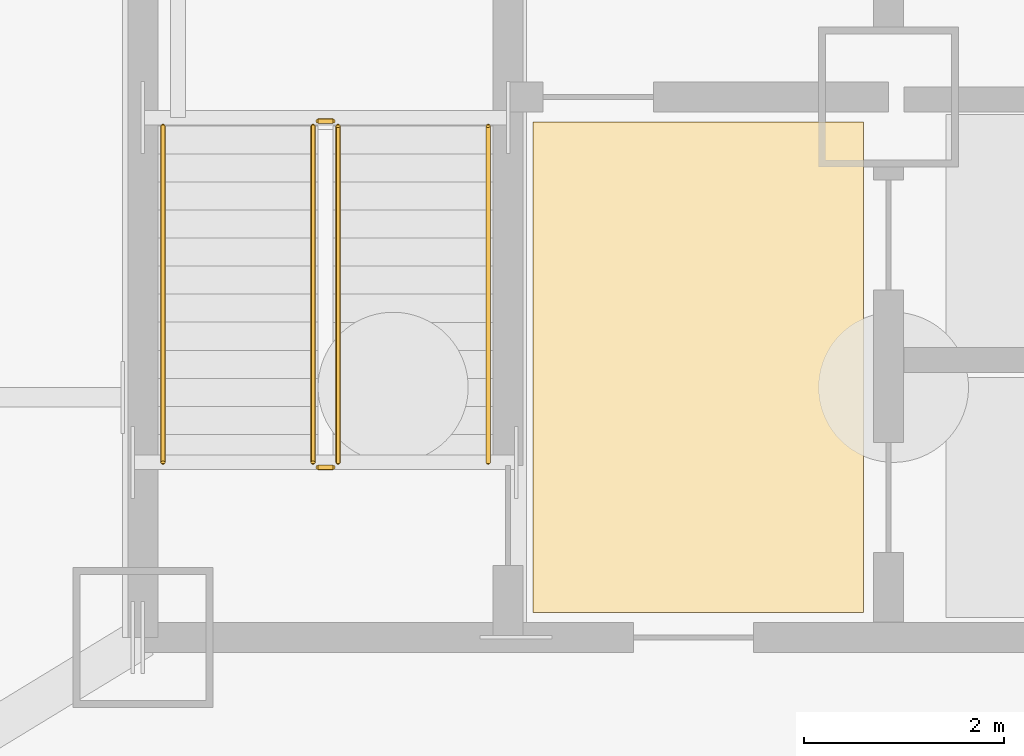
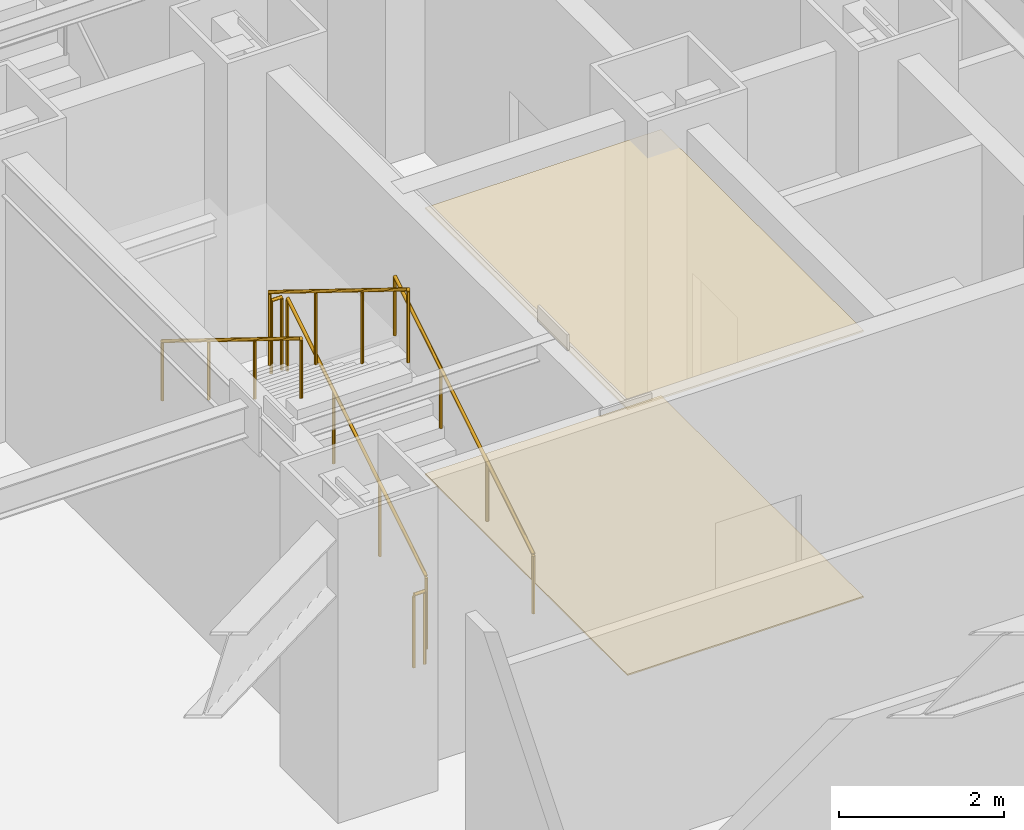
# One storey, part 12 of 15: 6 railings, 2 coverings.
"""IFC4 building model written with IfcOpenShell, lengths in metres."""

from ifc_helpers import new_model, si_unit, direction, frame, origin, origin_2d, place, context, subcontext, project, spatial, polyline, circle, outline, extrude, material, layer, layer_set, type_object, element, save


model = new_model("IFC4")

# Units and contexts
model_context = context("Model", 3, precision=1e-05, world=origin(), true_north=direction((0.0, 1.0)))
body_context = subcontext(model_context, "Body", "Model", "MODEL_VIEW")
ifc_project = project(units=[si_unit("LENGTHUNIT", "METRE"), si_unit("AREAUNIT", "SQUARE_METRE"), si_unit("VOLUMEUNIT", "CUBIC_METRE"), si_unit("PLANEANGLEUNIT", "RADIAN"), si_unit("MASSUNIT", "GRAM", prefix="KILO")], contexts=[model_context])

# Site, building, storey
site_placement = place(None, origin())
site = spatial("IfcSite", under=ifc_project, at=site_placement, CompositionType="ELEMENT")
building_placement = place(site_placement, origin())
building = spatial("IfcBuilding", under=site, at=building_placement, Name="Khamvora Tower", CompositionType="ELEMENT")
storey_placement = place(building_placement, frame((0.0, 0.0, -9.0)))
storey = spatial("IfcBuildingStorey", under=building, at=storey_placement, Name="B2", CompositionType="ELEMENT", Elevation=-9.0)

# Coverings
ifc_material_1 = material(Name="Perforated Mineral-Fibre Acoustic Ceiling Tile", Category="gypsum")
ifc_layer_1 = layer(ifc_material_1, 0.02490234375)
ifc_layer_set_1 = layer_set([ifc_layer_1], Name="Perforated Mineral-Fibre Acoustic Ceiling Tile")
covering_type_1 = type_object("IfcCoveringType", Name="COV-CEIL-600", PredefinedType="CEILING", material=ifc_layer_set_1)
covering_1_placement = place(storey_placement, frame((0.0, 0.0, 3.929931640625)))
element("IfcCovering", 1, at=covering_1_placement, inside=storey, type_object=covering_type_1, Name="B2 core lobby suspended acoustic ceiling", PredefinedType="CEILING", context=body_context, shape_type="SweptSolid", body=[
    extrude(outline(polyline([(32.89990234375, 19.25), (36.199951171875, 19.25), (36.199951171875, 24.14990234375), (32.89990234375, 24.14990234375), (32.89990234375, 19.25)])), origin(), (0.0, 0.0, 1.0), 0.025146484375),
])
ifc_material_2 = material(Name="Honed Terrazzo Stone Tile", Category="masonry")
ifc_layer_2 = layer(ifc_material_2, 0.02001953125)
ifc_layer_set_2 = layer_set([ifc_layer_2], Name="Honed Terrazzo Stone Tile")
covering_type_2 = type_object("IfcCoveringType", Name="COV-FLOR-20", PredefinedType="FLOORING", material=ifc_layer_set_2)
covering_2_placement = place(storey_placement, origin())
element("IfcCovering", 2, at=covering_2_placement, inside=storey, type_object=covering_type_2, Name="B2 lift lobby terrazzo flooring", PredefinedType="FLOORING", context=body_context, shape_type="SweptSolid", body=[
    extrude(outline(polyline([(32.89990234375, 19.25), (36.199951171875, 19.25), (36.199951171875, 24.14990234375), (32.89990234375, 24.14990234375), (32.89990234375, 19.25)])), origin(), (0.0, 0.0, 1.0), 0.02001953125),
])

# Railings
ifc_material_3 = material(Name="Brushed Stainless Steel 316", Category="steel")
railing_type_1 = type_object("IfcRailingType", Name="RAL-HDR-920", PredefinedType="HANDRAIL", material=ifc_material_3)
railing_1_placement = place(storey_placement, frame((32.449951171875, 20.75, 0.173095703125)))
element("IfcRailing", 3, at=railing_1_placement, inside=storey, type_object=railing_type_1, Name="B2 ST-01 stair handrail 1", PredefinedType="HANDRAIL", context=body_context, shape_type="SweptSolid", body=[
    extrude(circle(Radius=0.02392578125, at=origin_2d()), frame((0.0, 0.0, 0.8759765625), z_axis=(0.0, 0.850623216509, 0.525775754039), x_axis=(-1.0, 0.0, 0.0)), (0.0, 0.0, 1.0), 3.9501953125),
    extrude(circle(Radius=0.02099609375, at=origin_2d()), origin(), (0.0, 0.0, 1.0), 0.851806640625),
    extrude(circle(Radius=0.02099609375, at=origin_2d()), frame((0.0, 1.1201171875, 0.6923828125)), (0.0, 0.0, 1.0), 0.851806640625),
    extrude(circle(Radius=0.02099609375, at=origin_2d()), frame((0.0, 2.239990234375, 1.384521484375)), (0.0, 0.0, 1.0), 0.851806640625),
    extrude(circle(Radius=0.02099609375, at=origin_2d()), frame((0.0, 3.360107421875, 2.076904296875)), (0.0, 0.0, 1.0), 0.851806640625),
])
railing_2_placement = place(storey_placement, frame((29.199951171875, 24.110107421875, 2.423095703125)))
element("IfcRailing", 4, at=railing_2_placement, inside=storey, type_object=railing_type_1, Name="B2 ST-01 stair handrail 2", PredefinedType="HANDRAIL", context=body_context, shape_type="SweptSolid", body=[
    extrude(circle(Radius=0.02392578125, at=origin_2d()), frame((0.0, 0.0, 0.8759765625), z_axis=(0.0, -0.850623216509, 0.525775754039), x_axis=(1.0, 0.0, 0.0)), (0.0, 0.0, 1.0), 3.9501953125),
    extrude(circle(Radius=0.02099609375, at=origin_2d()), origin(), (0.0, 0.0, 1.0), 0.851806640625),
    extrude(circle(Radius=0.02099609375, at=origin_2d()), frame((0.0, -1.1201171875, 0.6923828125)), (0.0, 0.0, 1.0), 0.851806640625),
    extrude(circle(Radius=0.02099609375, at=origin_2d()), frame((0.0, -2.239990234375, 1.384521484375)), (0.0, 0.0, 1.0), 0.851806640625),
    extrude(circle(Radius=0.02099609375, at=origin_2d()), frame((0.0, -3.360107421875, 2.076904296875)), (0.0, 0.0, 1.0), 0.851806640625),
])
ifc_material_4 = material(Name="Stainless Steel 316", Category="steel")
railing_type_2 = type_object("IfcRailingType", Name="RAL-STG-1100", PredefinedType="GUARDRAIL", material=ifc_material_4)
railing_3_placement = place(storey_placement, frame((30.949951171875, 20.75, 0.173095703125)))
element("IfcRailing", 5, at=railing_3_placement, inside=storey, type_object=railing_type_2, Name="B2 ST-01 stair guard 1", PredefinedType="GUARDRAIL", context=body_context, shape_type="SweptSolid", body=[
    extrude(circle(Radius=0.02392578125, at=origin_2d()), frame((0.0, 0.0, 1.076171875), z_axis=(0.0, 0.850623216509, 0.525775754039), x_axis=(-1.0, 0.0, 0.0)), (0.0, 0.0, 1.0), 3.9501953125),
    extrude(circle(Radius=0.02099609375, at=origin_2d()), origin(), (0.0, 0.0, 1.0), 1.052001953125),
    extrude(circle(Radius=0.02099609375, at=origin_2d()), frame((0.0, 1.1201171875, 0.6923828125)), (0.0, 0.0, 1.0), 1.052001953125),
    extrude(circle(Radius=0.02099609375, at=origin_2d()), frame((0.0, 2.239990234375, 1.384521484375)), (0.0, 0.0, 1.0), 1.052001953125),
    extrude(circle(Radius=0.02099609375, at=origin_2d()), frame((0.0, 3.360107421875, 2.076904296875)), (0.0, 0.0, 1.0), 1.052001953125),
])
railing_4_placement = place(storey_placement, frame((30.89990234375, 24.159912109375, 2.25)))
element("IfcRailing", 6, at=railing_4_placement, inside=storey, type_object=railing_type_2, Name="B2 ST-01 stair guard 2", PredefinedType="GUARDRAIL", context=body_context, shape_type="SweptSolid", body=[
    extrude(circle(Radius=0.02392578125, at=origin_2d()), frame((0.0, 0.0, 1.076171875), z_axis=(-1.0, 0.0, 0.0), x_axis=(0.0, -1.0, 0.0)), (0.0, 0.0, 1.0), 0.14990234375),
    extrude(circle(Radius=0.02099609375, at=origin_2d()), origin(), (0.0, 0.0, 1.0), 1.052001953125),
    extrude(circle(Radius=0.02099609375, at=origin_2d()), frame((-0.14990234375, 0.0, 0.0)), (0.0, 0.0, 1.0), 1.052001953125),
])
railing_5_placement = place(storey_placement, frame((30.699951171875, 24.110107421875, 2.423095703125)))
element("IfcRailing", 7, at=railing_5_placement, inside=storey, type_object=railing_type_2, Name="B2 ST-01 stair guard 3", PredefinedType="GUARDRAIL", context=body_context, shape_type="SweptSolid", body=[
    extrude(circle(Radius=0.02392578125, at=origin_2d()), frame((0.0, 0.0, 1.076171875), z_axis=(0.0, -0.850623216509, 0.525775754039), x_axis=(1.0, 0.0, 0.0)), (0.0, 0.0, 1.0), 3.9501953125),
    extrude(circle(Radius=0.02099609375, at=origin_2d()), origin(), (0.0, 0.0, 1.0), 1.052001953125),
    extrude(circle(Radius=0.02099609375, at=origin_2d()), frame((0.0, -1.1201171875, 0.6923828125)), (0.0, 0.0, 1.0), 1.052001953125),
    extrude(circle(Radius=0.02099609375, at=origin_2d()), frame((0.0, -2.239990234375, 1.384521484375)), (0.0, 0.0, 1.0), 1.052001953125),
    extrude(circle(Radius=0.02099609375, at=origin_2d()), frame((0.0, -3.360107421875, 2.076904296875)), (0.0, 0.0, 1.0), 1.052001953125),
])
railing_6_placement = place(storey_placement, frame((30.89990234375, 20.699951171875, 0.0)))
element("IfcRailing", 8, at=railing_6_placement, inside=storey, type_object=railing_type_2, Name="B2 ST-01 stair guard 4", PredefinedType="GUARDRAIL", context=body_context, shape_type="SweptSolid", body=[
    extrude(circle(Radius=0.02392578125, at=origin_2d()), frame((0.0, 0.0, 1.076171875), z_axis=(-1.0, 0.0, 0.0), x_axis=(0.0, -1.0, 0.0)), (0.0, 0.0, 1.0), 0.14990234375),
    extrude(circle(Radius=0.02099609375, at=origin_2d()), origin(), (0.0, 0.0, 1.0), 1.052001953125),
    extrude(circle(Radius=0.02099609375, at=origin_2d()), frame((-0.14990234375, 0.0, 0.0)), (0.0, 0.0, 1.0), 1.052001953125),
])

save(model, "model.ifc")
